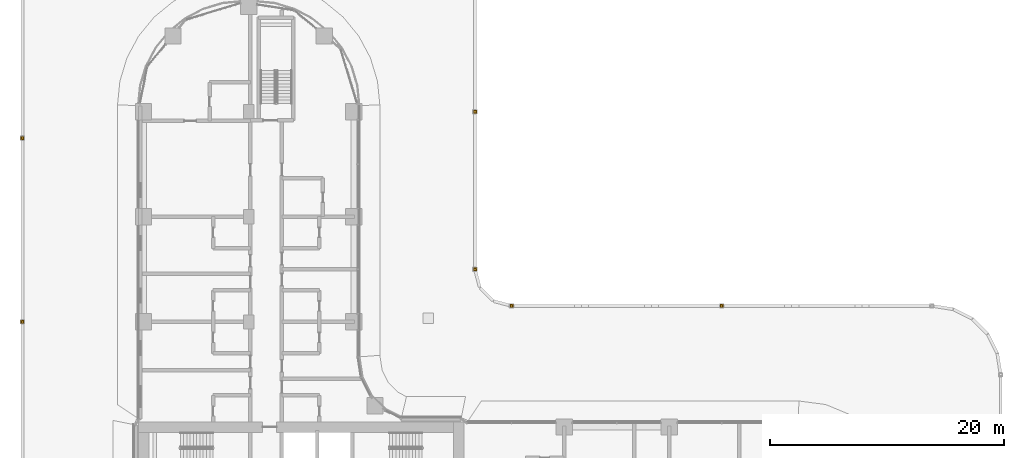
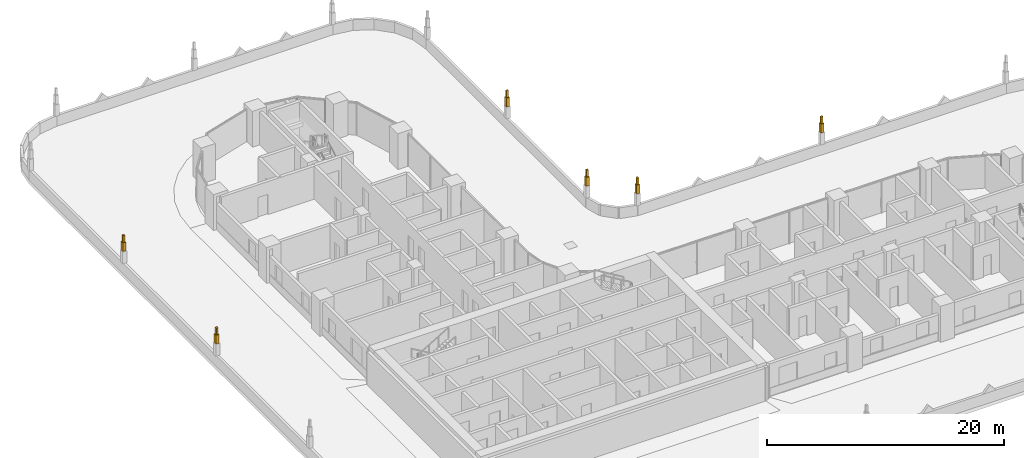
# One storey, part 49 of 51: 12 coverings.
"""IFC4 building model written with IfcOpenShell, lengths in metres."""

from ifc_helpers import new_model, si_unit, direction, frame, origin, origin_2d, place, context, subcontext, project, spatial, rectangle, extrude, material, layer, layer_set, type_object, element, save


model = new_model("IFC4")

# Units and contexts
model_context = context("Model", 3, precision=1e-05, world=origin(), true_north=direction((0.0, 1.0)))
body_context = subcontext(model_context, "Body", "Model", "MODEL_VIEW")
ifc_project = project(units=[si_unit("LENGTHUNIT", "METRE"), si_unit("AREAUNIT", "SQUARE_METRE"), si_unit("VOLUMEUNIT", "CUBIC_METRE"), si_unit("PLANEANGLEUNIT", "RADIAN"), si_unit("MASSUNIT", "GRAM", prefix="KILO")], contexts=[model_context])

# Site, building, storey
site_placement = place(None, origin())
site = spatial("IfcSite", under=ifc_project, at=site_placement, CompositionType="ELEMENT")
building_placement = place(site_placement, origin())
building = spatial("IfcBuilding", under=site, at=building_placement, Name="Ogive Portal Towers", CompositionType="ELEMENT")
storey_placement = place(building_placement, frame((0.0, 0.0, 33.5)))
storey = spatial("IfcBuildingStorey", under=building, at=storey_placement, Name="L06", CompositionType="ELEMENT", Elevation=33.5)

# Coverings
ifc_material = material(Name="Limestone cladding on lightweight block wall", Category="masonry")
ifc_layer_1 = layer(ifc_material, 0.179931640625)
ifc_layer_set_1 = layer_set([ifc_layer_1], Name="PINNACLE FINIAL STONE")
covering_type_1 = type_object("IfcCoveringType", Name="PINNACLE FINIAL STONE", PredefinedType="CLADDING", material=ifc_layer_set_1)
for number, where, z_axis, x_axis, name in (
    (1, (21.125, 64.240234375, 3.2001953125), (0.0, 0.0, 1.0), (1.0, 0.0, 0.0), "PINNACLE"),
    (2, (21.125, 48.5, 3.2001953125), (0.0, 0.0, 1.0), (1.0, 0.0, 0.0), "PINNACLE"),
    (3, (80.990234375, 49.875, 3.2001953125), (0.0, 0.0, 1.0), (1.0, 0.0, 0.0), "PINNACLE"),
    (4, (63.0, 49.875, 3.2001953125), (0.0, 0.0, 1.0), (1.0, 0.0, 0.0), "PINNACLE"),
    (5, (59.875, 53.0, 3.2001953125), (0.0, 0.0, 1.0), (1.0, 0.0, 0.0), "PINNACLE"),
    (6, (59.875, 66.490234375, 3.2001953125), (0.0, 0.0, 1.0), (1.0, 0.0, 0.0), "PINNACLE"),
):
    element("IfcCovering", number, at=place(storey_placement, frame(where, z_axis=z_axis, x_axis=x_axis)), inside=storey, type_object=covering_type_1, Name=name, PredefinedType="CLADDING", context=body_context, shape_type="SweptSolid", body=[
        extrude(rectangle(XDim=0.179931640625, YDim=0.179931640625, at=origin_2d()), origin(), (0.0, 0.0, 1.0), 0.699951171875),
    ])
ifc_layer_2 = layer(ifc_material, 0.300048828125)
ifc_layer_set_2 = layer_set([ifc_layer_2], Name="PINNACLE MID STONE")
covering_type_2 = type_object("IfcCoveringType", Name="PINNACLE MID STONE", PredefinedType="CLADDING", material=ifc_layer_set_2)
for number, where, z_axis, x_axis, name in (
    (7, (21.125, 64.240234375, 2.300048828125), (0.0, 0.0, 1.0), (1.0, 0.0, 0.0), "PINNACLE"),
    (8, (21.125, 48.5, 2.300048828125), (0.0, 0.0, 1.0), (1.0, 0.0, 0.0), "PINNACLE"),
    (9, (80.990234375, 49.875, 2.300048828125), (0.0, 0.0, 1.0), (1.0, 0.0, 0.0), "PINNACLE"),
    (10, (63.0, 49.875, 2.300048828125), (0.0, 0.0, 1.0), (1.0, 0.0, 0.0), "PINNACLE"),
    (11, (59.875, 53.0, 2.300048828125), (0.0, 0.0, 1.0), (1.0, 0.0, 0.0), "PINNACLE"),
    (12, (59.875, 66.490234375, 2.300048828125), (0.0, 0.0, 1.0), (1.0, 0.0, 0.0), "PINNACLE"),
):
    element("IfcCovering", number, at=place(storey_placement, frame(where, z_axis=z_axis, x_axis=x_axis)), inside=storey, type_object=covering_type_2, Name=name, PredefinedType="CLADDING", context=body_context, shape_type="SweptSolid", body=[
        extrude(rectangle(XDim=0.300048828125, YDim=0.300048828125, at=origin_2d()), origin(), (0.0, 0.0, 1.0), 0.89990234375),
    ])

save(model, "model.ifc")
